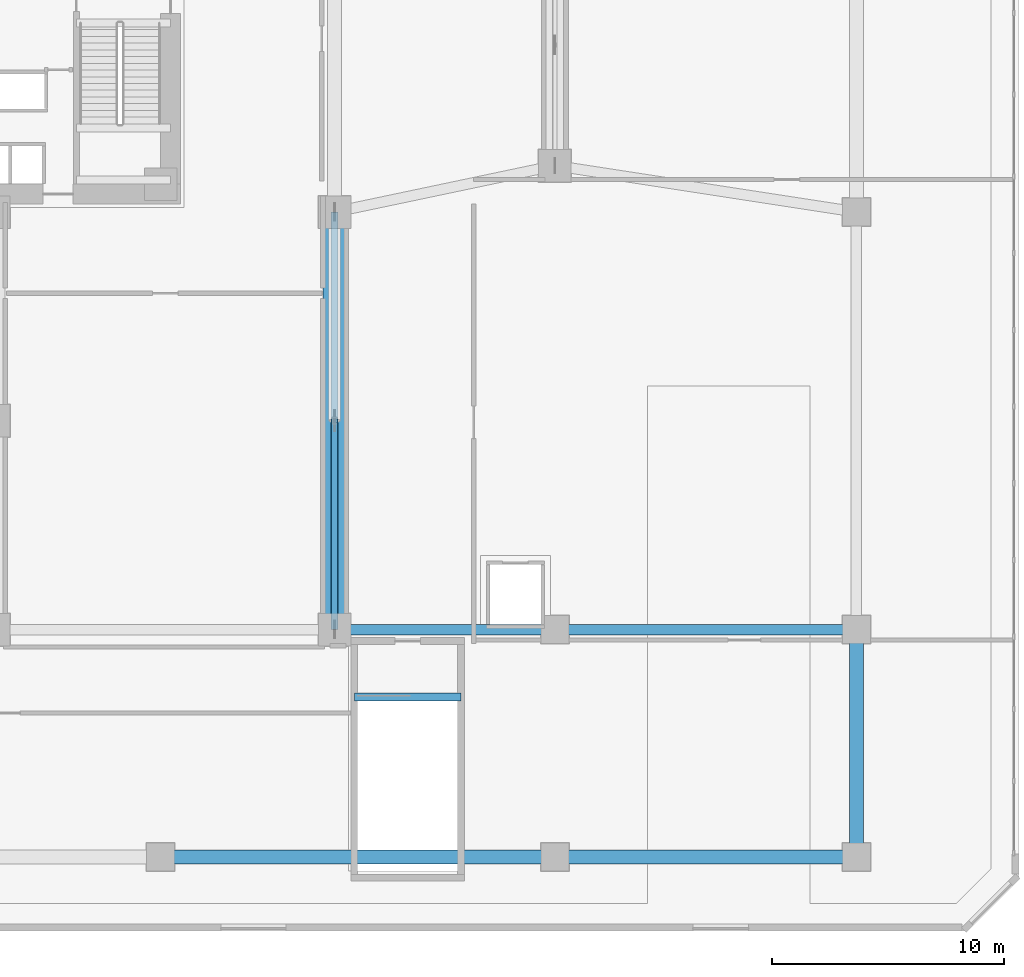
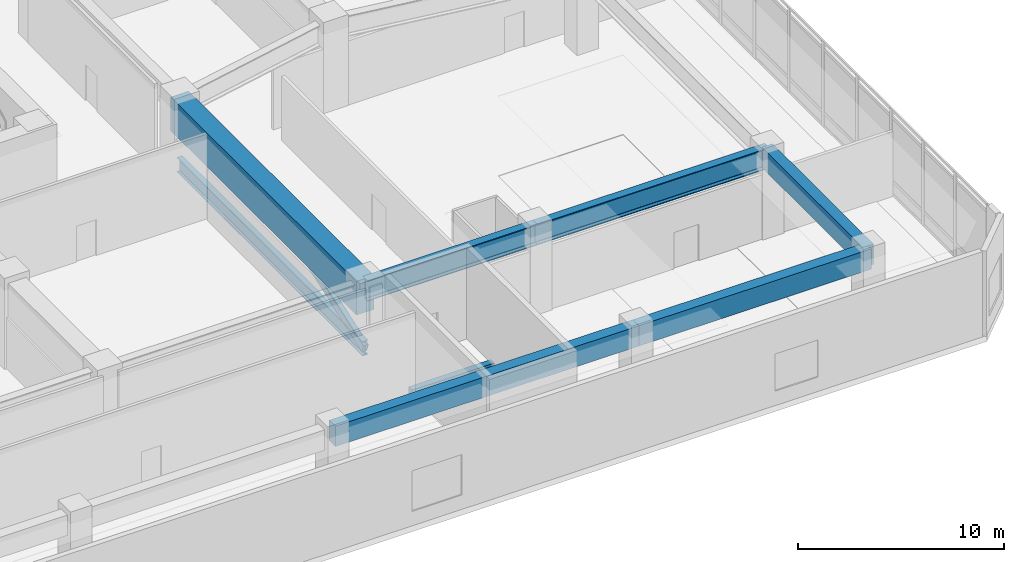
# One storey, part 6 of 21: 8 beams, 1 member.
"""IFC4 building model written with IfcOpenShell, lengths in metres."""

from ifc_helpers import new_model, si_unit, direction, frame, origin, origin_2d, place, context, subcontext, project, spatial, rectangle, hollow_rectangle, i_section, extrude, source, transform, mapped, material, material_profile, profile_set, type_object, element, save


model = new_model("IFC4")

# Units and contexts
model_context = context("Model", 3, precision=1e-05, world=origin(), true_north=direction((0.0, 1.0)))
body_context = subcontext(model_context, "Body", "Model", "MODEL_VIEW")
ifc_project = project(units=[si_unit("LENGTHUNIT", "METRE"), si_unit("AREAUNIT", "SQUARE_METRE"), si_unit("VOLUMEUNIT", "CUBIC_METRE"), si_unit("PLANEANGLEUNIT", "RADIAN"), si_unit("MASSUNIT", "GRAM", prefix="KILO")], contexts=[model_context])

# Site, building, storey
site_placement = place(None, origin())
site = spatial("IfcSite", under=ifc_project, at=site_placement, CompositionType="ELEMENT")
building_placement = place(site_placement, origin())
building = spatial("IfcBuilding", under=site, at=building_placement, Name="Calvemar Wedge Station Tower", CompositionType="ELEMENT")
storey_placement = place(building_placement, frame((0.0, 0.0, 21.60009765625)))
storey = spatial("IfcBuildingStorey", under=building, at=storey_placement, Name="L05", CompositionType="ELEMENT", Elevation=21.60009765625)

# Beams
ifc_material_1 = material(Name="Concrete C70", Category="concrete")
ifc_material_profile_1 = material_profile(ifc_material_1, rectangle(XDim=0.35009765625, YDim=0.699951171875, at=origin_2d()), Name="RC350x700")
ifc_profile_set_1 = profile_set([ifc_material_profile_1], Name="Concrete C70")
beam_type_1 = type_object("IfcBeamType", Name="BM-LN1-700", PredefinedType="LINTEL", material=ifc_profile_set_1)
shared_shape_1 = source(origin(), body_context, "Body", "SweptSolid", [
    extrude(rectangle(XDim=0.35009765625, YDim=0.699951171875, at=origin_2d()), origin(), (0.0, 0.0, 1.0), 4.599853515625),
])
beam_1_placement = place(storey_placement, frame((39.35009765625, 12.10009765625, -0.35009765625), z_axis=(1.0, 0.0, 0.0), x_axis=(0.0, 1.0, 0.0)))
element("IfcBeam", 1, at=beam_1_placement, inside=storey, type_object=beam_type_1, Name="Storey L05 Stair ST-P2 Landing Trimmer Beam", PredefinedType="LINTEL", context=body_context, shape_type="MappedRepresentation", body=[
    mapped(shared_shape_1, transform((0.0, 0.0, 0.0), scale=1.0)),
])
ifc_material_2 = material(Name="Concrete C60", Category="concrete")
ifc_material_profile_2 = material_profile(ifc_material_2, rectangle(XDim=0.60009765625, YDim=1.199951171875, at=origin_2d()), Name="RC600x1200")
ifc_profile_set_2 = profile_set([ifc_material_profile_2], Name="Concrete C60")
beam_type_2 = type_object("IfcBeamType", Name="BM-G1-1200", PredefinedType="BEAM", material=ifc_profile_set_2)
shared_shape_2 = source(origin(), body_context, "Body", "SweptSolid", [
    extrude(rectangle(XDim=0.60009765625, YDim=1.199951171875, at=origin_2d()), origin(), (0.0, 0.0, 1.0), 13.0),
])
beam_2_placement = place(storey_placement, frame((48.0, 5.199951171875, 4.449951171875), z_axis=(1.0, 0.0, 0.0), x_axis=(0.0, 1.0, 0.0)))
element("IfcBeam", 2, at=beam_2_placement, inside=storey, type_object=beam_type_2, Name="L05 Podium Girder P-S4-P-S5", PredefinedType="BEAM", context=body_context, shape_type="MappedRepresentation", body=[
    mapped(shared_shape_2, transform((0.0, 0.0, 0.0), scale=1.0)),
])
ifc_material_3 = material(Name="Structural steel ASTM A572 Grade 50", Category="steel")
ifc_material_profile_3 = material_profile(ifc_material_3, i_section(OverallWidth=0.303955078125, OverallDepth=0.862060546875, WebThickness=0.019775390625, FlangeThickness=0.035888671875, FilletRadius=0.02001953125, at=origin_2d()), Name="W840x329")
ifc_profile_set_3 = profile_set([ifc_material_profile_3], Name="Structural steel ASTM A572 Grade 50")
beam_type_3 = type_object("IfcBeamType", Name="BM-TR2-W840", PredefinedType="BEAM", material=ifc_profile_set_3)
shared_shape_3 = source(origin(), body_context, "Body", "SweptSolid", [
    extrude(i_section(OverallWidth=0.303955078125, OverallDepth=0.862060546875, WebThickness=0.019775390625, FlangeThickness=0.035888671875, FilletRadius=0.02001953125, at=origin_2d()), origin(), (0.0, 0.0, 1.0), 18.0),
])
beam_3_placement = place(storey_placement, frame((38.5, 15.0, 0.930908203125), z_axis=(0.0, 1.0, 0.0), x_axis=(-1.0, 0.0, 0.0)))
element("IfcBeam", 3, at=beam_3_placement, inside=storey, type_object=beam_type_3, Name="Warren Transfer Truss TR4 Bottom Chord 1", PredefinedType="BEAM", context=body_context, shape_type="MappedRepresentation", body=[
    mapped(shared_shape_3, transform((0.0, 0.0, 0.0), scale=1.0)),
])
ifc_material_profile_4 = material_profile(ifc_material_1, rectangle(XDim=1.0, YDim=2.0, at=origin_2d()), Name="RC1000x2000")
ifc_profile_set_4 = profile_set([ifc_material_profile_4], Name="Concrete C70")
beam_type_4 = type_object("IfcBeamType", Name="BM-TG1-2000", PredefinedType="BEAM", material=ifc_profile_set_4)
shared_shape_4 = source(origin(), body_context, "Body", "SweptSolid", [
    extrude(rectangle(XDim=1.0, YDim=2.0, at=origin_2d()), origin(), (0.0, 0.0, 1.0), 18.0),
])
beam_4_placement = place(storey_placement, frame((38.5, 15.0, 4.0498046875), z_axis=(0.0, 1.0, 0.0), x_axis=(-1.0, 0.0, 0.0)))
element("IfcBeam", 4, at=beam_4_placement, inside=storey, type_object=beam_type_4, Name="L05 Transfer Girder TG-L05-M2", PredefinedType="BEAM", context=body_context, shape_type="MappedRepresentation", body=[
    mapped(shared_shape_4, transform((0.0, 0.0, 0.0), scale=1.0)),
])

# Member
ifc_material_profile_5 = material_profile(ifc_material_3, hollow_rectangle(XDim=0.300048828125, YDim=0.5, WallThickness=0.02197265625, InnerFilletRadius=0.02197265625, OuterFilletRadius=0.0439453125, at=origin_2d()), Name="HSS500x300x22")
ifc_profile_set_5 = profile_set([ifc_material_profile_5], Name="Structural steel ASTM A572 Grade 50")
member_type = type_object("IfcMemberType", Name="MEM-D1-HSS500", PredefinedType="BRACE", material=ifc_profile_set_5)
shared_shape_5 = source(origin(), body_context, "Body", "SweptSolid", [
    extrude(hollow_rectangle(XDim=0.300048828125, YDim=0.5, WallThickness=0.02197265625, InnerFilletRadius=0.02197265625, OuterFilletRadius=0.0439453125, at=origin_2d()), origin(), (0.0, 0.0, 1.0), 9.525146484375),
])
member_placement = place(storey_placement, frame((38.5, 15.0, 0.930908203125), z_axis=(0.0, 0.944872046549, 0.327439789352), x_axis=(-1.0, 0.0, 0.0)))
element("IfcMember", 5, at=member_placement, inside=storey, type_object=member_type, Name="Warren Transfer Truss TR4 Diagonal 1A", PredefinedType="BRACE", context=body_context, shape_type="MappedRepresentation", body=[
    mapped(shared_shape_5, transform((0.0, 0.0, 0.0), scale=1.0)),
])

# Beams
ifc_material_profile_6 = material_profile(ifc_material_3, i_section(OverallWidth=0.449951171875, OverallDepth=1.219970703125, WebThickness=0.02587890625, FlangeThickness=0.0458984375, FilletRadius=0.02392578125, at=origin_2d()), Name="W1200x540")
ifc_profile_set_6 = profile_set([ifc_material_profile_6], Name="Structural steel ASTM A572 Grade 50")
beam_type_5 = type_object("IfcBeamType", Name="BM-TG3-W1200", PredefinedType="BEAM", material=ifc_profile_set_6)
shared_shape_6 = source(origin(), body_context, "Body", "SweptSolid", [
    extrude(i_section(OverallWidth=0.449951171875, OverallDepth=1.219970703125, WebThickness=0.02587890625, FlangeThickness=0.0458984375, FilletRadius=0.02392578125, at=origin_2d()), origin(), (0.0, 0.0, 1.0), 9.5),
])
beam_5_placement = place(storey_placement, frame((38.5, 15.0, 4.43994140625), z_axis=(1.0, 0.0, 0.0), x_axis=(0.0, 1.0, 0.0)))
element("IfcBeam", 6, at=beam_5_placement, inside=storey, type_object=beam_type_5, Name="L05 Transfer Deck Tie Girder P-CS4-P-CS5", PredefinedType="BEAM", context=body_context, shape_type="MappedRepresentation", body=[
    mapped(shared_shape_6, transform((0.0, 0.0, 0.0), scale=1.0)),
])
shared_shape_7 = source(origin(), body_context, "Body", "SweptSolid", [
    extrude(i_section(OverallWidth=0.449951171875, OverallDepth=1.219970703125, WebThickness=0.02587890625, FlangeThickness=0.0458984375, FilletRadius=0.02392578125, at=origin_2d()), origin(), (0.0, 0.0, 1.0), 13.0),
])
beam_6_placement = place(storey_placement, frame((48.0, 15.0, 4.43994140625), z_axis=(1.0, 0.0, 0.0), x_axis=(0.0, 1.0, 0.0)))
element("IfcBeam", 7, at=beam_6_placement, inside=storey, type_object=beam_type_5, Name="L05 Transfer Deck Tie Girder P-CS5-P-CS6", PredefinedType="BEAM", context=body_context, shape_type="MappedRepresentation", body=[
    mapped(shared_shape_7, transform((0.0, 0.0, 0.0), scale=1.0)),
])
shared_shape_8 = source(origin(), body_context, "Body", "SweptSolid", [
    extrude(rectangle(XDim=0.60009765625, YDim=1.199951171875, at=origin_2d()), origin(), (0.0, 0.0, 1.0), 17.0),
])
beam_7_placement = place(storey_placement, frame((31.0, 5.199951171875, 4.449951171875), z_axis=(1.0, 0.0, 0.0), x_axis=(0.0, 1.0, 0.0)))
element("IfcBeam", 8, at=beam_7_placement, inside=storey, type_object=beam_type_2, Name="L05 Podium Girder P-S3-P-S4", PredefinedType="BEAM", context=body_context, shape_type="MappedRepresentation", body=[
    mapped(shared_shape_8, transform((0.0, 0.0, 0.0), scale=1.0)),
])
shared_shape_9 = source(origin(), body_context, "Body", "SweptSolid", [
    extrude(rectangle(XDim=0.60009765625, YDim=1.199951171875, at=origin_2d()), origin(), (0.0, 0.0, 1.0), 9.800048828125),
])
beam_8_placement = place(storey_placement, frame((61.0, 5.199951171875, 4.449951171875), z_axis=(0.0, 1.0, 0.0), x_axis=(-1.0, 0.0, 0.0)))
element("IfcBeam", 9, at=beam_8_placement, inside=storey, type_object=beam_type_2, Name="L05 Podium Girder P-S5-P-CS6", PredefinedType="BEAM", context=body_context, shape_type="MappedRepresentation", body=[
    mapped(shared_shape_9, transform((0.0, 0.0, 0.0), scale=1.0)),
])

save(model, "model.ifc")
